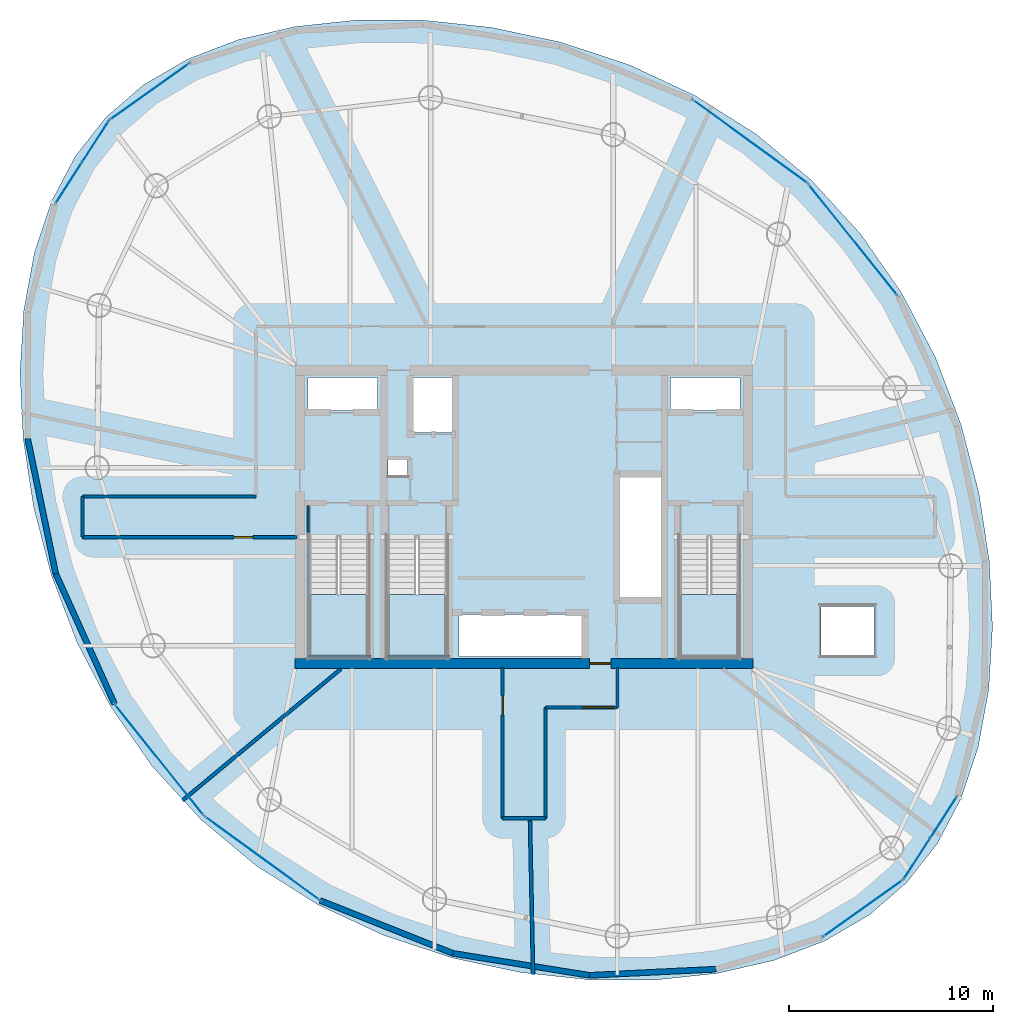
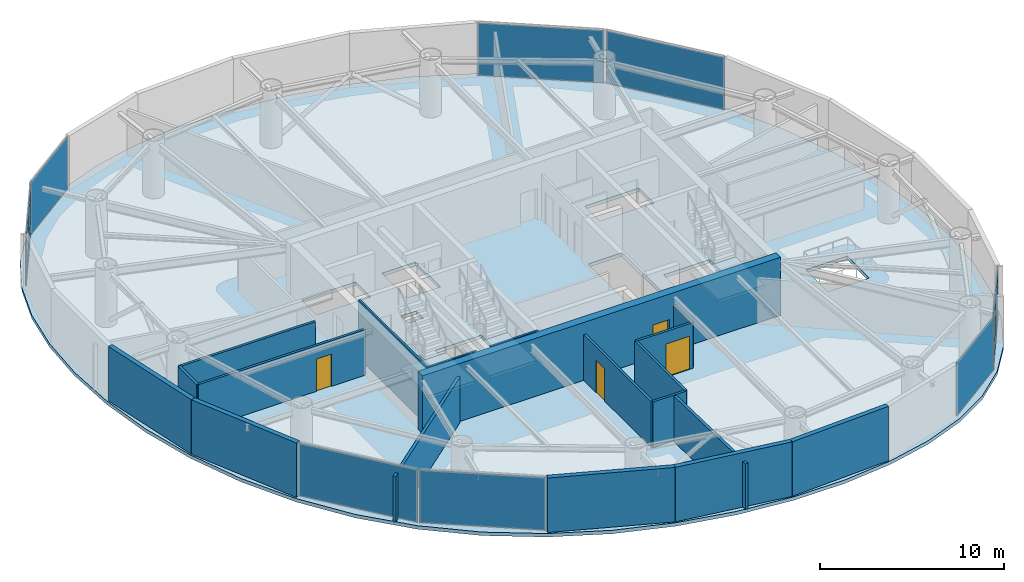
# One storey, part 12 of 18: 19 walls, 14 plates, 4 doors, 4 slabs, 4 openings, 11 elements without a shape of their own.
"""IFC4 building model written with IfcOpenShell, lengths in metres."""

from ifc_helpers import new_model, si_unit, direction, frame, frame_2d, origin, origin_2d, place, context, subcontext, project, spatial, polyline, rectangle, outline, extrude, material, layer, layer_set, type_object, element, fill, aggregate, save


model = new_model("IFC4")

# Units and contexts
model_context = context("Model", 3, precision=1e-05, world=origin(), true_north=direction((0.0, 1.0)))
body_context = subcontext(model_context, "Body", "Model", "MODEL_VIEW")
ifc_project = project(units=[si_unit("LENGTHUNIT", "METRE"), si_unit("AREAUNIT", "SQUARE_METRE"), si_unit("VOLUMEUNIT", "CUBIC_METRE"), si_unit("PLANEANGLEUNIT", "RADIAN"), si_unit("MASSUNIT", "GRAM", prefix="KILO")], contexts=[model_context])

# Site, building, storey
site_placement = place(None, origin())
site = spatial("IfcSite", under=ifc_project, at=site_placement, CompositionType="ELEMENT")
building_placement = place(site_placement, origin())
building = spatial("IfcBuilding", under=site, at=building_placement, Name="Bramvorn Convention Spire", CompositionType="ELEMENT")
storey_placement = place(building_placement, frame((0.0, 0.0, 205.85009765625)))
storey = spatial("IfcBuildingStorey", under=building, at=storey_placement, Name="L52", CompositionType="ELEMENT", Elevation=205.85009765625)

# Curtain wall, plates
ifc_material_1 = material(Name="Anodised Bronze Unitised Curtain Wall", Category="aluminium")
ifc_layer_1 = layer(ifc_material_1, 0.179931640625)
ifc_layer_set_1 = layer_set([ifc_layer_1], Name="Anodised Bronze Unitised Curtain Wall - CW-OFF-FRIT")
curtain_wall_type = type_object("IfcCurtainWallType", Name="CW-OFF-FRIT", PredefinedType="USERDEFINED", material=ifc_layer_set_1)
curtain_wall_1_placement = place(storey_placement, origin())
curtain_wall_1 = element("IfcCurtainWall", 1, at=curtain_wall_1_placement, inside=storey, type_object=curtain_wall_type, Name="L52 fritted glass curtain wall 01", ObjectType="UNITISED CURTAIN WALL", PredefinedType="USERDEFINED")
ifc_material_2 = material(Name="Laminated Low-E Glass (Triple IGU Solar Bronze Frit 28%)", Category="glass")
ifc_layer_2 = layer(ifc_material_2, 0.0400390625)
ifc_layer_set_2 = layer_set([ifc_layer_2], Name="Laminated Low-E Glass (Triple IGU Solar Bronze Frit 28%) - PNL-IGU-3")
plate_type = type_object("IfcPlateType", Name="PNL-IGU-3", PredefinedType="CURTAIN_PANEL", material=ifc_layer_set_2)
plate_1_placement = place(storey_placement, frame((58.61279296875, 11.24951171875, 0.059814453125), z_axis=(0.0, 0.0, 1.0), x_axis=(-0.542196466715, -0.840251742921, 0.0)))
plate_1 = element("IfcPlate", 2, at=plate_1_placement, type_object=plate_type, Name="CW3 panel 1.1", PredefinedType="CURTAIN_PANEL", context=body_context, shape_type="SweptSolid", body=[
    extrude(rectangle(XDim=2.34814453125, YDim=0.028076171875, at=origin_2d()), origin(), (0.0, 0.0, 1.0), 0.81005859375),
])
plate_2_placement = place(storey_placement, frame((58.61279296875, 11.24951171875, 0.929931640625), z_axis=(0.0, 0.0, 1.0), x_axis=(-0.542196466715, -0.840251742921, 0.0)))
plate_2 = element("IfcPlate", 3, at=plate_2_placement, type_object=plate_type, Name="CW3 panel 1.2", PredefinedType="CURTAIN_PANEL", context=body_context, shape_type="SweptSolid", body=[
    extrude(rectangle(XDim=2.34814453125, YDim=0.028076171875, at=origin_2d()), origin(), (0.0, 0.0, 1.0), 2.6298828125),
])
plate_3_placement = place(storey_placement, frame((57.30712890625, 9.22607421875, 0.059814453125), z_axis=(0.0, 0.0, 1.0), x_axis=(-0.542196466715, -0.840251742921, 0.0)))
plate_3 = element("IfcPlate", 4, at=plate_3_placement, type_object=plate_type, Name="CW3 panel 2.1", PredefinedType="CURTAIN_PANEL", context=body_context, shape_type="SweptSolid", body=[
    extrude(rectangle(XDim=2.34814453125, YDim=0.028076171875, at=origin_2d()), origin(), (0.0, 0.0, 1.0), 0.81005859375),
])
plate_4_placement = place(storey_placement, frame((57.30712890625, 9.22607421875, 0.929931640625), z_axis=(0.0, 0.0, 1.0), x_axis=(-0.542196466715, -0.840251742921, 0.0)))
plate_4 = element("IfcPlate", 5, at=plate_4_placement, type_object=plate_type, Name="CW3 panel 2.2", PredefinedType="CURTAIN_PANEL", context=body_context, shape_type="SweptSolid", body=[
    extrude(rectangle(XDim=2.34814453125, YDim=0.028076171875, at=origin_2d()), origin(), (0.0, 0.0, 1.0), 2.6298828125),
])
aggregate(curtain_wall_1, [plate_1, plate_2, plate_3, plate_4])

# Curtain wall, plate
curtain_wall_2_placement = place(storey_placement, origin())
curtain_wall_2 = element("IfcCurtainWall", 6, at=curtain_wall_2_placement, inside=storey, type_object=curtain_wall_type, Name="L52 fritted glass curtain wall 06", ObjectType="UNITISED CURTAIN WALL", PredefinedType="USERDEFINED")
plate_5_placement = place(storey_placement, frame((54.16650390625, 39.600341796875, 0.059814453125), z_axis=(0.0, 0.0, 1.0), x_axis=(0.624618885389, -0.780929733084, 0.0)))
plate_5 = element("IfcPlate", 7, at=plate_5_placement, type_object=plate_type, Name="CW3 panel 1.1", PredefinedType="CURTAIN_PANEL", context=body_context, shape_type="SweptSolid", body=[
    extrude(rectangle(XDim=6.925537109375, YDim=0.028076171875, at=origin_2d()), origin(), (0.0, 0.0, 1.0), 3.5),
])
aggregate(curtain_wall_2, [plate_5])

curtain_wall_3_placement = place(storey_placement, origin())
curtain_wall_3 = element("IfcCurtainWall", 8, at=curtain_wall_3_placement, inside=storey, type_object=curtain_wall_type, Name="L52 fritted glass curtain wall 07", ObjectType="UNITISED CURTAIN WALL", PredefinedType="USERDEFINED")
plate_6_placement = place(storey_placement, frame((49.117919921875, 44.4248046875, 0.059814453125), z_axis=(0.0, 0.0, 1.0), x_axis=(0.808467170186, -0.588541276999, 0.0)))
plate_6 = element("IfcPlate", 9, at=plate_6_placement, type_object=plate_type, Name="CW3 panel 1.1", PredefinedType="CURTAIN_PANEL", context=body_context, shape_type="SweptSolid", body=[
    extrude(rectangle(XDim=6.925537109375, YDim=0.028076171875, at=origin_2d()), origin(), (0.0, 0.0, 1.0), 3.5),
])
aggregate(curtain_wall_3, [plate_6])

curtain_wall_4_placement = place(storey_placement, origin())
curtain_wall_4 = element("IfcCurtainWall", 10, at=curtain_wall_4_placement, inside=storey, type_object=curtain_wall_type, Name="L52 fritted glass curtain wall 12", ObjectType="UNITISED CURTAIN WALL", PredefinedType="USERDEFINED")
plate_7_placement = place(storey_placement, frame((19.61328125, 46.882568359375, 0.059814453125), z_axis=(0.0, 0.0, 1.0), x_axis=(0.814799038024, 0.579743501589, 0.0)))
plate_7 = element("IfcPlate", 11, at=plate_7_placement, type_object=plate_type, Name="CW3 panel 1.1", PredefinedType="CURTAIN_PANEL", context=body_context, shape_type="SweptSolid", body=[
    extrude(rectangle(XDim=4.75634765625, YDim=0.028076171875, at=origin_2d()), origin(), (0.0, 0.0, 1.0), 3.5),
])
aggregate(curtain_wall_4, [plate_7])

# Curtain wall, plates
curtain_wall_5_placement = place(storey_placement, origin())
curtain_wall_5 = element("IfcCurtainWall", 12, at=curtain_wall_5_placement, inside=storey, type_object=curtain_wall_type, Name="L52 fritted glass curtain wall 13", ObjectType="UNITISED CURTAIN WALL", PredefinedType="USERDEFINED")
plate_8_placement = place(storey_placement, frame((15.652099609375, 42.40869140625, 0.059814453125), z_axis=(0.0, 0.0, 1.0), x_axis=(0.542187124036, 0.840257771478, 0.0)))
plate_8 = element("IfcPlate", 13, at=plate_8_placement, type_object=plate_type, Name="CW3 panel 1.1", PredefinedType="CURTAIN_PANEL", context=body_context, shape_type="SweptSolid", body=[
    extrude(rectangle(XDim=2.34814453125, YDim=0.028076171875, at=origin_2d()), origin(), (0.0, 0.0, 1.0), 0.81005859375),
])
plate_9_placement = place(storey_placement, frame((15.652099609375, 42.40869140625, 0.929931640625), z_axis=(0.0, 0.0, 1.0), x_axis=(0.542187124036, 0.840257771478, 0.0)))
plate_9 = element("IfcPlate", 14, at=plate_9_placement, type_object=plate_type, Name="CW3 panel 1.2", PredefinedType="CURTAIN_PANEL", context=body_context, shape_type="SweptSolid", body=[
    extrude(rectangle(XDim=2.34814453125, YDim=0.028076171875, at=origin_2d()), origin(), (0.0, 0.0, 1.0), 2.6298828125),
])
plate_10_placement = place(storey_placement, frame((16.957763671875, 44.43212890625, 0.059814453125), z_axis=(0.0, 0.0, 1.0), x_axis=(0.542187124036, 0.840257771478, 0.0)))
plate_10 = element("IfcPlate", 15, at=plate_10_placement, type_object=plate_type, Name="CW3 panel 2.1", PredefinedType="CURTAIN_PANEL", context=body_context, shape_type="SweptSolid", body=[
    extrude(rectangle(XDim=2.34814453125, YDim=0.028076171875, at=origin_2d()), origin(), (0.0, 0.0, 1.0), 0.81005859375),
])
plate_11_placement = place(storey_placement, frame((16.957763671875, 44.43212890625, 0.929931640625), z_axis=(0.0, 0.0, 1.0), x_axis=(0.542187124036, 0.840257771478, 0.0)))
plate_11 = element("IfcPlate", 16, at=plate_11_placement, type_object=plate_type, Name="CW3 panel 2.2", PredefinedType="CURTAIN_PANEL", context=body_context, shape_type="SweptSolid", body=[
    extrude(rectangle(XDim=2.34814453125, YDim=0.028076171875, at=origin_2d()), origin(), (0.0, 0.0, 1.0), 2.6298828125),
])
aggregate(curtain_wall_5, [plate_8, plate_9, plate_10, plate_11])

# Curtain wall, plate
curtain_wall_6_placement = place(storey_placement, origin())
curtain_wall_6 = element("IfcCurtainWall", 17, at=curtain_wall_6_placement, inside=storey, type_object=curtain_wall_type, Name="L52 fritted glass curtain wall 18", ObjectType="UNITISED CURTAIN WALL", PredefinedType="USERDEFINED")
plate_12_placement = place(storey_placement, frame((20.098388671875, 14.057861328125, 0.059814453125), z_axis=(0.0, 0.0, 1.0), x_axis=(-0.624618885389, 0.780929733084, 0.0)))
plate_12 = element("IfcPlate", 18, at=plate_12_placement, type_object=plate_type, Name="CW3 panel 1.1", PredefinedType="CURTAIN_PANEL", context=body_context, shape_type="SweptSolid", body=[
    extrude(rectangle(XDim=6.925537109375, YDim=0.028076171875, at=origin_2d()), origin(), (0.0, 0.0, 1.0), 3.5),
])
aggregate(curtain_wall_6, [plate_12])

curtain_wall_7_placement = place(storey_placement, origin())
curtain_wall_7 = element("IfcCurtainWall", 19, at=curtain_wall_7_placement, inside=storey, type_object=curtain_wall_type, Name="L52 fritted glass curtain wall 19", ObjectType="UNITISED CURTAIN WALL", PredefinedType="USERDEFINED")
plate_13_placement = place(storey_placement, frame((25.14697265625, 9.2333984375, 0.059814453125), z_axis=(0.0, 0.0, 1.0), x_axis=(-0.808460416766, 0.588550553922, 0.0)))
plate_13 = element("IfcPlate", 20, at=plate_13_placement, type_object=plate_type, Name="CW3 panel 1.1", PredefinedType="CURTAIN_PANEL", context=body_context, shape_type="SweptSolid", body=[
    extrude(rectangle(XDim=6.925537109375, YDim=0.028076171875, at=origin_2d()), origin(), (0.0, 0.0, 1.0), 3.5),
])
aggregate(curtain_wall_7, [plate_13])

curtain_wall_8_placement = place(storey_placement, origin())
curtain_wall_8 = element("IfcCurtainWall", 21, at=curtain_wall_8_placement, inside=storey, type_object=curtain_wall_type, Name="L52 fritted glass curtain wall 24", ObjectType="UNITISED CURTAIN WALL", PredefinedType="USERDEFINED")
plate_14_placement = place(storey_placement, frame((54.651611328125, 6.775634765625, 0.059814453125), z_axis=(0.0, 0.0, 1.0), x_axis=(-0.814789350867, -0.579757116139, 0.0)))
plate_14 = element("IfcPlate", 22, at=plate_14_placement, type_object=plate_type, Name="CW3 panel 1.1", PredefinedType="CURTAIN_PANEL", context=body_context, shape_type="SweptSolid", body=[
    extrude(rectangle(XDim=4.75634765625, YDim=0.028076171875, at=origin_2d()), origin(), (0.0, 0.0, 1.0), 3.5),
])
aggregate(curtain_wall_8, [plate_14])

# Stair, slab
ifc_material_3 = material(Name="Concrete C40/50 Precast Stair", Category="concrete")
stair_type = type_object("IfcStairType", Name="ST-TOWER-1550", PredefinedType="HALF_TURN_STAIR", material=ifc_material_3)
stair_1_placement = place(storey_placement, origin())
stair_1 = element("IfcStair", 23, at=stair_1_placement, inside=storey, type_object=stair_type, Name="L52 Protected Exit Stair ST1", PredefinedType="HALF_TURN_STAIR")
ifc_material_4 = material(Name="Concrete C40/50 Stair Landing", Category="concrete")
ifc_layer_3 = layer(ifc_material_4, 0.219970703125)
ifc_layer_set_3 = layer_set([ifc_layer_3], Name="Concrete C40/50 Stair Landing - SLB-STAIR-LANDING")
slab_type_1 = type_object("IfcSlabType", Name="SLB-STAIR-LANDING", PredefinedType="LANDING", material=ifc_layer_set_3)
slab_1_placement = place(storey_placement, frame((0.0, 0.0, 1.724853515625)))
slab_1 = element("IfcSlab", 24, at=slab_1_placement, type_object=slab_type_1, Name="ST1 landing 1", PredefinedType="LANDING", context=body_context, shape_type="SweptSolid", body=[
    extrude(outline(polyline([(27.449951171875, 22.199951171875), (27.449951171875, 19.10009765625), (30.35009765625, 19.10009765625), (30.35009765625, 22.199951171875), (27.449951171875, 22.199951171875)])), origin(), (0.0, 0.0, 1.0), 0.199951171875),
])
aggregate(stair_1, [slab_1])

stair_2_placement = place(storey_placement, origin())
stair_2 = element("IfcStair", 25, at=stair_2_placement, inside=storey, type_object=stair_type, Name="L52 Protected Exit Stair ST2", PredefinedType="HALF_TURN_STAIR")
slab_2_placement = place(storey_placement, frame((0.0, 0.0, 1.724853515625)))
slab_2 = element("IfcSlab", 26, at=slab_2_placement, type_object=slab_type_1, Name="ST2 landing 1", PredefinedType="LANDING", context=body_context, shape_type="SweptSolid", body=[
    extrude(outline(polyline([(45.64990234375, 22.199951171875), (45.64990234375, 19.10009765625), (48.550048828125, 19.10009765625), (48.550048828125, 22.199951171875), (45.64990234375, 22.199951171875)])), origin(), (0.0, 0.0, 1.0), 0.199951171875),
])
aggregate(stair_2, [slab_2])

stair_3_placement = place(storey_placement, origin())
stair_3 = element("IfcStair", 27, at=stair_3_placement, inside=storey, type_object=stair_type, Name="L52 Protected Exit Stair ST3", PredefinedType="HALF_TURN_STAIR")
slab_3_placement = place(storey_placement, frame((0.0, 0.0, 1.724853515625)))
slab_3 = element("IfcSlab", 28, at=slab_3_placement, type_object=slab_type_1, Name="ST3 landing 1", PredefinedType="LANDING", context=body_context, shape_type="SweptSolid", body=[
    extrude(outline(polyline([(31.300048828125, 22.199951171875), (31.300048828125, 19.10009765625), (34.199951171875, 19.10009765625), (34.199951171875, 22.199951171875), (31.300048828125, 22.199951171875)])), origin(), (0.0, 0.0, 1.0), 0.199951171875),
])
aggregate(stair_3, [slab_3])

# Slab
ifc_material_5 = material(Name="Concrete C40/50", Category="concrete")
ifc_layer_4 = layer(ifc_material_5, 0.22998046875)
ifc_layer_set_4 = layer_set([ifc_layer_4], Name="Concrete C40/50 - SLB-Z3-230")
slab_type_2 = type_object("IfcSlabType", Name="SLB-Z3-230", PredefinedType="FLOOR", material=ifc_layer_set_4)
slab_4_placement = place(storey_placement, frame((0.0, 0.0, -0.22998046875)))
element("IfcSlab", 29, at=slab_4_placement, inside=storey, type_object=slab_type_2, Name="L52 tower floor slab", PredefinedType="FLOOR", context=body_context, shape_type="SweptSolid", body=[
    extrude(outline(polyline([(56.797119140625, 8.037109375), (58.301513671875, 9.947998046875), (59.47216796875, 12.177978515625), (60.31396484375, 14.714111328125), (60.828125, 17.52978515625), (61.01220703125, 20.58349609375), (60.85693359375, 23.81640625), (60.348876953125, 27.156494140625), (59.47216796875, 30.521240234375), (58.213134765625, 33.822509765625), (56.56494140625, 36.974365234375), (54.531005859375, 39.896728515625), (52.130126953125, 42.523193359375), (49.3974609375, 44.802490234375), (46.3857421875, 46.70166015625), (43.16259765625, 48.205322265625), (39.807373046875, 49.313232421875), (36.406494140625, 50.036376953125), (33.046875, 50.392333984375), (29.81005859375, 50.40087890625), (26.767822265625, 50.07861328125), (23.978271484375, 49.43701171875), (21.48291015625, 48.481201171875), (19.30859375, 47.21044921875), (17.4677734375, 45.62109375), (15.96337890625, 43.710205078125), (14.79248046875, 41.480224609375), (13.950927734375, 38.944091796875), (13.436767578125, 36.128173828125), (13.252685546875, 33.07470703125), (13.407958984375, 29.841552734375), (13.916015625, 26.50146484375), (14.792724609375, 23.136962890625), (16.0517578125, 19.83544921875), (17.699951171875, 16.683837890625), (19.73388671875, 13.76123046875), (22.134765625, 11.135009765625), (24.867431640625, 8.855712890625), (27.879150390625, 6.956298828125), (31.102294921875, 5.45263671875), (34.45751953125, 4.344970703125), (37.8583984375, 3.621826171875), (41.218017578125, 3.265625), (44.454833984375, 3.257080078125), (47.496826171875, 3.57958984375), (50.28662109375, 4.22119140625), (52.781982421875, 5.177001953125), (54.956298828125, 6.447509765625), (56.797119140625, 8.037109375)]), holes=[polyline([(27.449951171875, 25.050048828125), (27.449951171875, 19.10009765625), (30.35009765625, 19.10009765625), (30.35009765625, 25.050048828125), (27.449951171875, 25.050048828125)]), polyline([(45.64990234375, 25.050048828125), (45.64990234375, 19.10009765625), (48.550048828125, 19.10009765625), (48.550048828125, 25.050048828125), (45.64990234375, 25.050048828125)]), polyline([(31.300048828125, 25.050048828125), (31.300048828125, 19.10009765625), (34.199951171875, 19.10009765625), (34.199951171875, 25.050048828125), (31.300048828125, 25.050048828125)]), polyline([(27.39990234375, 31.219970703125), (30.800048828125, 31.219970703125), (30.800048828125, 32.85009765625), (27.39990234375, 32.85009765625), (27.39990234375, 31.219970703125)]), polyline([(45.199951171875, 31.219970703125), (48.60009765625, 31.219970703125), (48.60009765625, 32.85009765625), (45.199951171875, 32.85009765625), (45.199951171875, 31.219970703125)]), polyline([(32.449951171875, 30.14990234375), (34.56005859375, 30.14990234375), (34.56005859375, 32.85009765625), (32.449951171875, 32.85009765625), (32.449951171875, 30.14990234375)]), polyline([(34.800048828125, 19.14990234375), (40.97998046875, 19.14990234375), (40.97998046875, 21.199951171875), (34.800048828125, 21.199951171875), (34.800048828125, 19.14990234375)]), polyline([(42.6201171875, 22.0), (44.75, 22.0), (44.75, 28.0), (42.6201171875, 28.0), (42.6201171875, 22.0)]), polyline([(31.320068359375, 28.02001953125), (32.280029296875, 28.02001953125), (32.280029296875, 28.820068359375), (31.320068359375, 28.820068359375), (31.320068359375, 28.02001953125)]), polyline([(52.60009765625, 19.199951171875), (55.199951171875, 19.199951171875), (55.199951171875, 21.60009765625), (52.60009765625, 21.60009765625), (52.60009765625, 19.199951171875)])]), origin(), (0.0, 0.0, 1.0), 0.22998046875),
])

# Wall, opening, door
ifc_material_6 = material(Name="Concrete C50/60", Category="concrete")
ifc_layer_5 = layer(ifc_material_6, 0.5)
ifc_layer_set_5 = layer_set([ifc_layer_5], Name="Concrete C50/60 - WL-CORE-500")
wall_type_1 = type_object("IfcWallType", Name="WL-CORE-500", PredefinedType="SHEAR", material=ifc_layer_set_5)
wall_1_placement = place(storey_placement, frame((26.75, 18.800048828125, 0.0), z_axis=(0.0, 0.0, 1.0), x_axis=(1.0, 0.0, 0.0)))
wall_1 = element("IfcWall", 30, at=wall_1_placement, inside=storey, type_object=wall_type_1, Name="L52 South RC core shear wall", PredefinedType="SHEAR", context=body_context, shape_type="SweptSolid", body=[
    extrude(rectangle(XDim=22.5, YDim=0.5, at=frame_2d((11.25, 0.0))), origin(), (0.0, 0.0, 1.0), 3.849853515625),
])
opening_1_placement = place(wall_1_placement, frame((14.469970703125, 0.0, 0.0)))
opening_1 = element("IfcOpeningElement", 31, at=opening_1_placement, cuts=wall_1, Name="Opening DL-105", PredefinedType="OPENING", context=body_context, shape_type="SweptSolid", body=[
    extrude(rectangle(XDim=1.050048828125, YDim=2.14990234375, at=frame_2d((0.52490234375, 1.074951171875))), frame((0.0, 0.260009765625, 0.0), z_axis=(0.0, -1.0, 0.0), x_axis=(1.0, 0.0, 0.0)), (0.0, 0.0, 1.0), 0.52001953125),
])
ifc_material_7 = material(Name="Smoke-Sealed Fire Lobby Timber-Core Door", Category="wood")
door_type_1 = type_object("IfcDoorType", Name="DR-LOBBY-1050", OperationType="NOTDEFINED", PredefinedType="DOOR", material=ifc_material_7)
door_1_placement = place(opening_1_placement, origin())
door_1 = element("IfcDoor", 32, at=door_1_placement, inside=storey, type_object=door_type_1, Name="L52 South Lift Lobby fire door", OperationType="SINGLE_SWING_RIGHT", OverallHeight=2.14990234375, OverallWidth=1.050048828125, PredefinedType="DOOR", context=body_context, shape_type="SweptSolid", body=[
    extrude(rectangle(XDim=1.050048828125, YDim=2.14990234375, at=frame_2d((0.52490234375, 1.074951171875))), frame((0.0, 0.02490234375, 0.0), z_axis=(0.0, -1.0, 0.0), x_axis=(1.0, 0.0, 0.0)), (0.0, 0.0, 1.0), 0.050048828125),
])
fill(opening_1, door_1)

# Walls
ifc_material_8 = material(Name="Precast Concrete C40/50 with Bronze Terracotta Rainscreen", Category="masonry")
ifc_layer_6 = layer(ifc_material_8, 0.300048828125)
ifc_layer_set_6 = layer_set([ifc_layer_6], Name="Precast Concrete C40/50 with Bronze Terracotta Rainscreen - WL-EXT-BRONZE-300")
wall_type_2 = type_object("IfcWallType", Name="WL-EXT-BRONZE-300", PredefinedType="SOLIDWALL", material=ifc_layer_set_6)
wall_2_placement = place(storey_placement, frame((15.00927734375, 23.2041015625, 0.0), z_axis=(0.0, 0.0, 1.0), x_axis=(-0.203597872563, 0.979054598216, 0.0)))
element("IfcWall", 33, at=wall_2_placement, inside=storey, type_object=wall_type_2, Name="L52 expressed bronze Gothic lancet pier wall 16", PredefinedType="SOLIDWALL", context=body_context, shape_type="SweptSolid", body=[
    extrude(rectangle(XDim=6.78466796875, YDim=0.280029296875, at=frame_2d((3.392333984375, 0.0))), origin(), (0.0, 0.0, 1.0), 3.619873046875),
])
for number, where, z_axis, x_axis, name in (
    (34, (17.898193359375, 16.808837890625, 0.0), (0.0, 0.0, 1.0), (-0.411673410611, 0.911331445192, 0.0), "L52 expressed bronze Gothic lancet pier wall 17"),
    (35, (34.514892578125, 4.564208984375, 0.0), (0.0, 0.0, 1.0), (-0.929075312882, 0.369890609495, 0.0), "L52 expressed bronze Gothic lancet pier wall 20"),
):
    element("IfcWall", number, at=place(storey_placement, frame(where, z_axis=z_axis, x_axis=x_axis)), inside=storey, type_object=wall_type_2, Name=name, PredefinedType="SOLIDWALL", context=body_context, shape_type="SweptSolid", body=[
        extrude(rectangle(XDim=7.017578125, YDim=0.280029296875, at=frame_2d((3.5087890625, 0.0))), origin(), (0.0, 0.0, 1.0), 3.619873046875),
    ])
wall_3_placement = place(storey_placement, frame((41.213134765625, 3.485595703125, 0.0), z_axis=(0.0, 0.0, 1.0), x_axis=(-0.987281599143, 0.158981269318, 0.0)))
element("IfcWall", 36, at=wall_3_placement, inside=storey, type_object=wall_type_2, Name="L52 expressed bronze Gothic lancet pier wall 21", PredefinedType="SOLIDWALL", context=body_context, shape_type="SweptSolid", body=[
    extrude(rectangle(XDim=6.784423828125, YDim=0.280029296875, at=frame_2d((3.39208984375, 0.0))), origin(), (0.0, 0.0, 1.0), 3.619873046875),
])
wall_4_placement = place(storey_placement, frame((47.43212890625, 3.78759765625, 0.0), z_axis=(0.0, 0.0, 1.0), x_axis=(-0.998822985186, -0.048504064408, 0.0)))
element("IfcWall", 37, at=wall_4_placement, inside=storey, type_object=wall_type_2, Name="L52 expressed bronze Gothic lancet pier wall 22", PredefinedType="SOLIDWALL", context=body_context, shape_type="SweptSolid", body=[
    extrude(rectangle(XDim=6.226318359375, YDim=0.280029296875, at=frame_2d((3.11328125, 0.0))), origin(), (0.0, 0.0, 1.0), 3.619873046875),
])
ifc_material_9 = material(Name="Acoustic Metal-Stud Tenant/Corridor Partition", Category="gypsum")
ifc_layer_7 = layer(ifc_material_9, 0.14990234375)
ifc_layer_set_7 = layer_set([ifc_layer_7], Name="Acoustic Metal-Stud Tenant/Corridor Partition - WL-PART-150")
wall_type_3 = type_object("IfcWallType", Name="WL-PART-150", PredefinedType="PARTITIONING", material=ifc_layer_set_7)
wall_5_placement = place(storey_placement, frame((16.331787109375, 27.0, 0.0), z_axis=(0.0, 0.0, 1.0), x_axis=(1.0, 0.0, 0.0)))
element("IfcWall", 38, at=wall_5_placement, inside=storey, type_object=wall_type_3, Name="L52 West wing spine north wall", PredefinedType="PARTITIONING", context=body_context, shape_type="SweptSolid", body=[
    extrude(rectangle(XDim=8.518310546875, YDim=0.14990234375, at=frame_2d((4.25927734375, 0.0))), origin(), (0.0, 0.0, 1.0), 3.034912109375),
])

# Wall, opening, door
wall_6_placement = place(storey_placement, frame((16.331787109375, 25.0, 0.0), z_axis=(0.0, 0.0, 1.0), x_axis=(1.0, 0.0, 0.0)))
wall_6 = element("IfcWall", 39, at=wall_6_placement, inside=storey, type_object=wall_type_3, Name="L52 West wing spine south wall", PredefinedType="PARTITIONING", context=body_context, shape_type="SweptSolid", body=[
    extrude(rectangle(XDim=10.518310546875, YDim=0.14990234375, at=frame_2d((5.25927734375, 0.0))), origin(), (0.0, 0.0, 1.0), 3.034912109375),
])
opening_2_placement = place(wall_6_placement, frame((7.41357421875, 0.0, 0.0)))
opening_2 = element("IfcOpeningElement", 40, at=opening_2_placement, cuts=wall_6, Name="Opening DH-095", PredefinedType="OPENING", context=body_context, shape_type="SweptSolid", body=[
    extrude(rectangle(XDim=0.949951171875, YDim=2.14990234375, at=frame_2d((0.47509765625, 1.074951171875))), frame((0.0, 0.0849609375, 0.0), z_axis=(0.0, -1.0, 0.0), x_axis=(1.0, 0.0, 0.0)), (0.0, 0.0, 1.0), 0.169921875),
])
ifc_material_10 = material(Name="Solid-Core Acoustic Guestroom Entry Door", Category="wood")
door_type_2 = type_object("IfcDoorType", Name="DR-HOTEL-950", OperationType="NOTDEFINED", PredefinedType="DOOR", material=ifc_material_10)
door_2_placement = place(opening_2_placement, origin())
door_2 = element("IfcDoor", 41, at=door_2_placement, inside=storey, type_object=door_type_2, Name="L52 C-Suite Meeting Boardroom 4 door", OperationType="SINGLE_SWING_LEFT", OverallHeight=2.14990234375, OverallWidth=0.949951171875, PredefinedType="DOOR", context=body_context, shape_type="SweptSolid", body=[
    extrude(rectangle(XDim=0.949951171875, YDim=2.14990234375, at=frame_2d((0.47509765625, 1.074951171875))), frame((0.0, 0.02490234375, 0.0), z_axis=(0.0, -1.0, 0.0), x_axis=(1.0, 0.0, 0.0)), (0.0, 0.0, 1.0), 0.050048828125),
])
fill(opening_2, door_2)

# Wall
wall_7_placement = place(storey_placement, frame((16.331787109375, 25.0, 0.0), z_axis=(0.0, 0.0, 1.0), x_axis=(0.0, 1.0, 0.0)))
element("IfcWall", 42, at=wall_7_placement, inside=storey, type_object=wall_type_3, Name="L52 West wing spine end wall", PredefinedType="PARTITIONING", context=body_context, shape_type="SweptSolid", body=[
    extrude(rectangle(XDim=2.0, YDim=0.14990234375, at=frame_2d((1.0, 0.0))), origin(), (0.0, 0.0, 1.0), 3.034912109375),
])

# Wall, opening, door
wall_8_placement = place(storey_placement, frame((36.949951171875, 11.199951171875, 0.0), z_axis=(0.0, 0.0, 1.0), x_axis=(0.0, 1.0, 0.0)))
wall_8 = element("IfcWall", 43, at=wall_8_placement, inside=storey, type_object=wall_type_3, Name="L52 South axial spine west wall", PredefinedType="PARTITIONING", context=body_context, shape_type="SweptSolid", body=[
    extrude(rectangle(XDim=7.400146484375, YDim=0.14990234375, at=frame_2d((3.7001953125, 0.0))), origin(), (0.0, 0.0, 1.0), 3.034912109375),
])
opening_3_placement = place(wall_8_placement, frame((5.074951171875, 0.0, 0.0)))
opening_3 = element("IfcOpeningElement", 44, at=opening_3_placement, cuts=wall_8, Name="Opening DH-095", PredefinedType="OPENING", context=body_context, shape_type="SweptSolid", body=[
    extrude(rectangle(XDim=0.949951171875, YDim=2.14990234375, at=frame_2d((0.47509765625, 1.074951171875))), frame((0.0, 0.0849609375, 0.0), z_axis=(0.0, -1.0, 0.0), x_axis=(1.0, 0.0, 0.0)), (0.0, 0.0, 1.0), 0.169921875),
])
door_3_placement = place(opening_3_placement, origin())
door_3 = element("IfcDoor", 45, at=door_3_placement, inside=storey, type_object=door_type_2, Name="L52 Managing Director Office 5 door", OperationType="SINGLE_SWING_RIGHT", OverallHeight=2.14990234375, OverallWidth=0.949951171875, PredefinedType="DOOR", context=body_context, shape_type="SweptSolid", body=[
    extrude(rectangle(XDim=0.949951171875, YDim=2.14990234375, at=frame_2d((0.47509765625, 1.074951171875))), frame((0.0, 0.02490234375, 0.0), z_axis=(0.0, -1.0, 0.0), x_axis=(1.0, 0.0, 0.0)), (0.0, 0.0, 1.0), 0.050048828125),
])
fill(opening_3, door_3)

# Wall
wall_9_placement = place(storey_placement, frame((39.050048828125, 11.199951171875, 0.0), z_axis=(0.0, 0.0, 1.0), x_axis=(0.0, 1.0, 0.0)))
element("IfcWall", 46, at=wall_9_placement, inside=storey, type_object=wall_type_3, Name="L52 South axial spine east wall", PredefinedType="PARTITIONING", context=body_context, shape_type="SweptSolid", body=[
    extrude(rectangle(XDim=5.449951171875, YDim=0.14990234375, at=frame_2d((2.72509765625, 0.0))), origin(), (0.0, 0.0, 1.0), 3.034912109375),
])

# Wall, opening, door
wall_10_placement = place(storey_placement, frame((39.050048828125, 16.64990234375, 0.0), z_axis=(0.0, 0.0, 1.0), x_axis=(1.0, 0.0, 0.0)))
wall_10 = element("IfcWall", 47, at=wall_10_placement, inside=storey, type_object=wall_type_3, Name="L52 South lift lobby link wall", PredefinedType="PARTITIONING", context=body_context, shape_type="SweptSolid", body=[
    extrude(rectangle(XDim=3.550048828125, YDim=0.14990234375, at=frame_2d((1.77490234375, 0.0))), origin(), (0.0, 0.0, 1.0), 3.034912109375),
])
opening_4_placement = place(wall_10_placement, frame((1.85009765625, 0.0, 0.0)))
opening_4 = element("IfcOpeningElement", 48, at=opening_4_placement, cuts=wall_10, Name="Opening DC-150", PredefinedType="OPENING", context=body_context, shape_type="SweptSolid", body=[
    extrude(rectangle(XDim=1.5, YDim=2.199951171875, at=frame_2d((0.75, 1.10009765625))), frame((0.0, 0.0849609375, 0.0), z_axis=(0.0, -1.0, 0.0), x_axis=(1.0, 0.0, 0.0)), (0.0, 0.0, 1.0), 0.169921875),
])
ifc_material_11 = material(Name="Double-Leaf Smoke-Control Corridor Door", Category="wood")
door_type_3 = type_object("IfcDoorType", Name="DR-COR-1500", OperationType="NOTDEFINED", PredefinedType="DOOR", material=ifc_material_11)
door_4_placement = place(opening_4_placement, origin())
door_4 = element("IfcDoor", 49, at=door_4_placement, inside=storey, type_object=door_type_3, Name="L52 Reception Gallery 6 door", OperationType="DOUBLE_DOOR_SINGLE_SWING", OverallHeight=2.199951171875, OverallWidth=1.5, PredefinedType="DOOR", context=body_context, shape_type="SweptSolid", body=[
    extrude(rectangle(XDim=1.5, YDim=2.199951171875, at=frame_2d((0.75, 1.10009765625))), frame((0.0, 0.02490234375, 0.0), z_axis=(0.0, -1.0, 0.0), x_axis=(1.0, 0.0, 0.0)), (0.0, 0.0, 1.0), 0.050048828125),
])
fill(opening_4, door_4)

# Walls
wall_11_placement = place(storey_placement, frame((42.60009765625, 16.64990234375, 0.0), z_axis=(0.0, 0.0, 1.0), x_axis=(0.0, 1.0, 0.0)))
element("IfcWall", 50, at=wall_11_placement, inside=storey, type_object=wall_type_3, Name="L52 South lift lobby east cheek", PredefinedType="PARTITIONING", context=body_context, shape_type="SweptSolid", body=[
    extrude(rectangle(XDim=1.9501953125, YDim=0.14990234375, at=frame_2d((0.97509765625, 0.0))), origin(), (0.0, 0.0, 1.0), 3.034912109375),
])
wall_12_placement = place(storey_placement, frame((36.949951171875, 11.199951171875, 0.0), z_axis=(0.0, 0.0, 1.0), x_axis=(1.0, 0.0, 0.0)))
element("IfcWall", 51, at=wall_12_placement, inside=storey, type_object=wall_type_3, Name="L52 South axial spine end wall", PredefinedType="PARTITIONING", context=body_context, shape_type="SweptSolid", body=[
    extrude(rectangle(XDim=2.10009765625, YDim=0.14990234375, at=frame_2d((1.050048828125, 0.0))), origin(), (0.0, 0.0, 1.0), 3.034912109375),
])
ifc_material_12 = material(Name="Double-Stud Acoustic Hotel/Suite Partition", Category="gypsum")
ifc_layer_8 = layer(ifc_material_12, 0.175048828125)
ifc_layer_set_8 = layer_set([ifc_layer_8], Name="Double-Stud Acoustic Hotel/Suite Partition - WL-PART-175")
wall_type_4 = type_object("IfcWallType", Name="WL-PART-175", PredefinedType="PARTITIONING", material=ifc_layer_set_8)
wall_13_placement = place(storey_placement, frame((29.0068359375, 18.530029296875, 0.0), z_axis=(0.0, 0.0, 1.0), x_axis=(-0.769234217395, -0.638966915253, 0.0)))
element("IfcWall", 52, at=wall_13_placement, inside=storey, type_object=wall_type_4, Name="L52 Tenant suite partition 5", PredefinedType="PARTITIONING", context=body_context, shape_type="SweptSolid", body=[
    extrude(rectangle(XDim=10.10546875, YDim=0.175048828125, at=frame_2d((5.052734375, 0.0))), origin(), (0.0, 0.0, 1.0), 3.034912109375),
])
wall_14_placement = place(storey_placement, frame((38.298095703125, 11.06005859375, 0.0), z_axis=(0.0, 0.0, 1.0), x_axis=(0.019932501838, -0.99980132795, 0.0)))
element("IfcWall", 53, at=wall_14_placement, inside=storey, type_object=wall_type_4, Name="L52 Tenant suite partition 6", PredefinedType="PARTITIONING", context=body_context, shape_type="SweptSolid", body=[
    extrude(rectangle(XDim=7.53271484375, YDim=0.175048828125, at=frame_2d((3.766357421875, 0.0))), origin(), (0.0, 0.0, 1.0), 3.034912109375),
])
ifc_layer_9 = layer(ifc_material_6, 0.1201171875)
ifc_layer_set_9 = layer_set([ifc_layer_9], Name="Concrete C50/60 - WL-STAIR-RC-120")
wall_type_5 = type_object("IfcWallType", Name="WL-STAIR-RC-120", PredefinedType="SHEAR", material=ifc_layer_set_9)
wall_15_placement = place(storey_placement, frame((27.39501953125, 19.10009765625, 0.0), z_axis=(0.0, 0.0, 1.0), x_axis=(0.0, 1.0, 0.0)))
element("IfcWall", 54, at=wall_15_placement, inside=storey, type_object=wall_type_5, Name="L52 ST1 west bearing shear wall", PredefinedType="SHEAR", context=body_context, shape_type="SweptSolid", body=[
    extrude(rectangle(XDim=7.449951171875, YDim=0.1201171875, at=frame_2d((3.72509765625, 0.0))), origin(), (0.0, 0.0, 1.0), 3.849853515625),
])
wall_16_placement = place(storey_placement, frame((27.39501953125, 19.159912109375, 0.0), z_axis=(0.0, 0.0, 1.0), x_axis=(1.0, 0.0, 0.0)))
element("IfcWall", 55, at=wall_16_placement, inside=storey, type_object=wall_type_5, Name="L52 ST1 south bearing shear wall", PredefinedType="SHEAR", context=body_context, shape_type="SweptSolid", body=[
    extrude(rectangle(XDim=3.094970703125, YDim=0.1201171875, at=frame_2d((1.54736328125, 0.0))), origin(), (0.0, 0.0, 1.0), 3.849853515625),
])
wall_17_placement = place(storey_placement, frame((31.300048828125, 19.159912109375, 0.0), z_axis=(0.0, 0.0, 1.0), x_axis=(1.0, 0.0, 0.0)))
element("IfcWall", 56, at=wall_17_placement, inside=storey, type_object=wall_type_5, Name="L52 ST3 south bearing shear wall", PredefinedType="SHEAR", context=body_context, shape_type="SweptSolid", body=[
    extrude(rectangle(XDim=3.0400390625, YDim=0.1201171875, at=frame_2d((1.52001953125, 0.0))), origin(), (0.0, 0.0, 1.0), 3.849853515625),
])

save(model, "model.ifc")
